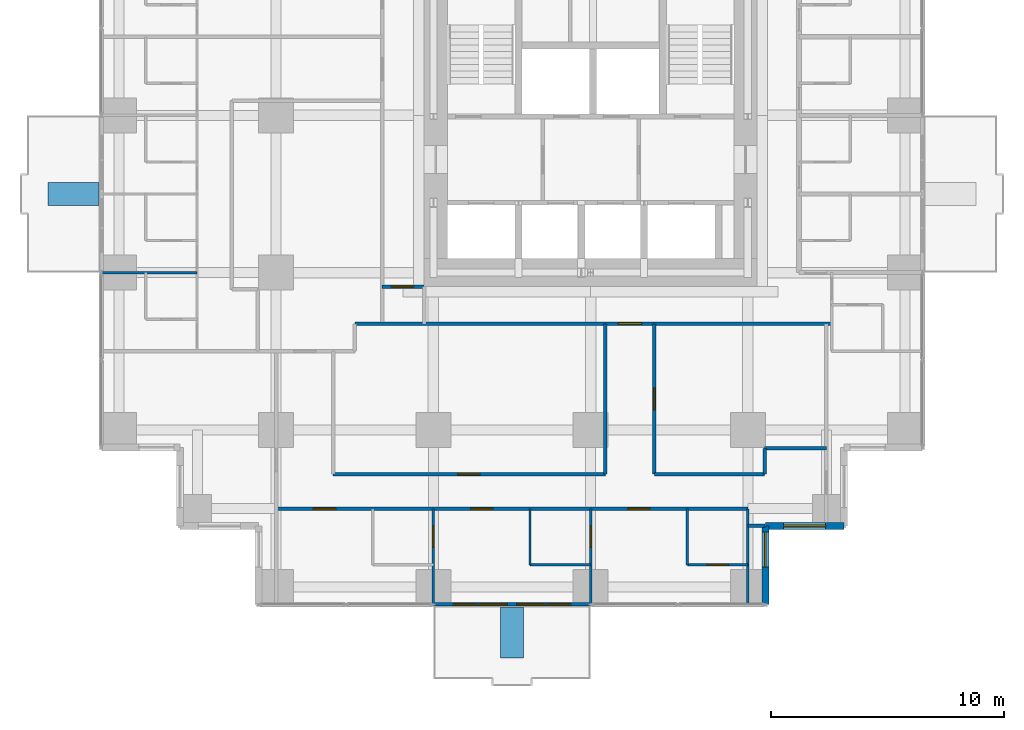
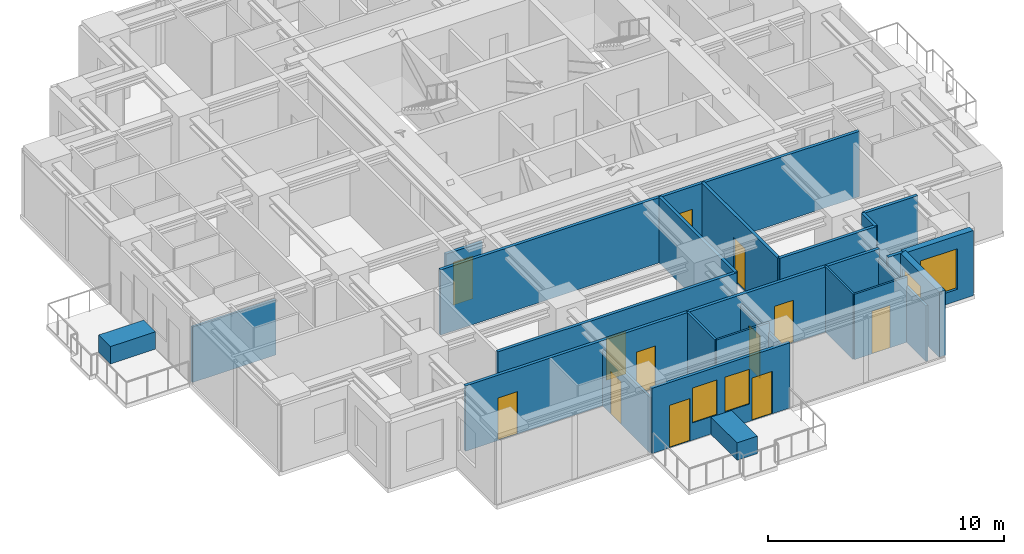
# One storey, part 5 of 10: 23 walls, 12 doors, 4 windows, 16 openings.
"""IFC4 building model written with IfcOpenShell, lengths in metres."""

from ifc_helpers import new_model, si_unit, direction, frame, frame_2d, origin, place, context, subcontext, project, spatial, rectangle, extrude, material, layer, layer_set, type_object, element, fill, save


model = new_model("IFC4")

# Units and contexts
model_context = context("Model", 3, precision=1e-05, world=origin(), true_north=direction((0.0, 1.0)))
body_context = subcontext(model_context, "Body", "Model", "MODEL_VIEW")
ifc_project = project(units=[si_unit("LENGTHUNIT", "METRE"), si_unit("AREAUNIT", "SQUARE_METRE"), si_unit("VOLUMEUNIT", "CUBIC_METRE"), si_unit("PLANEANGLEUNIT", "RADIAN"), si_unit("MASSUNIT", "GRAM", prefix="KILO")], contexts=[model_context])

# Site, building, storey
site_placement = place(None, origin())
site = spatial("IfcSite", under=ifc_project, at=site_placement, CompositionType="ELEMENT")
building_placement = place(site_placement, origin())
building = spatial("IfcBuilding", under=site, at=building_placement, Name="Nyansa Garden Tower", CompositionType="ELEMENT")
storey_placement = place(building_placement, frame((0.0, 0.0, 156.60009765625)))
storey = spatial("IfcBuildingStorey", under=building, at=storey_placement, Name="L42", CompositionType="ELEMENT", Elevation=156.60009765625)

# Wall, openings, doors, windows
ifc_material_1 = material(Name="Black aluminium framed glazed screen", Category="aluminium")
ifc_layer_1 = layer(ifc_material_1, 0.14990234375)
ifc_layer_set_1 = layer_set([ifc_layer_1], Name="Balcony screen wall BW150")
wall_type_1 = type_object("IfcWallType", Name="Balcony screen wall BW150", PredefinedType="SOLIDWALL", material=ifc_layer_set_1)
wall_1_placement = place(storey_placement, frame((20.25, -0.75, 0.0), z_axis=(0.0, 0.0, 1.0), x_axis=(-1.0, 0.0, 0.0)))
wall_1 = element("IfcWall", 1, at=wall_1_placement, inside=storey, type_object=wall_type_1, Name="Glazed screen wall L42 S", PredefinedType="SOLIDWALL", context=body_context, shape_type="SweptSolid", body=[
    extrude(rectangle(XDim=6.75, YDim=0.14990234375, at=frame_2d((3.375, 0.0))), origin(), (0.0, 0.0, 1.0), 3.375),
])
opening_1_placement = place(wall_1_placement, frame((0.862548828125, 0.0, 0.0)))
opening_1 = element("IfcOpeningElement", 2, at=opening_1_placement, cuts=wall_1, Name="Opening D20", PredefinedType="OPENING", context=body_context, shape_type="SweptSolid", body=[
    extrude(rectangle(XDim=1.0, YDim=2.199951171875, at=frame_2d((0.5, 1.10009765625))), frame((0.0, 0.0849609375, 0.0), z_axis=(0.0, -1.0, 0.0), x_axis=(1.0, 0.0, 0.0)), (0.0, 0.0, 1.0), 0.169921875),
])
opening_2_placement = place(wall_1_placement, frame((1.97509765625, 0.0, 0.89990234375)))
opening_2 = element("IfcOpeningElement", 3, at=opening_2_placement, cuts=wall_1, Name="Opening W6", PredefinedType="OPENING", context=body_context, shape_type="SweptSolid", body=[
    extrude(rectangle(XDim=1.199951171875, YDim=1.800048828125, at=frame_2d((0.60009765625, 0.89990234375))), frame((0.0, 0.0849609375, 0.0), z_axis=(0.0, -1.0, 0.0), x_axis=(1.0, 0.0, 0.0)), (0.0, 0.0, 1.0), 0.169921875),
])
opening_3_placement = place(wall_1_placement, frame((4.887451171875, 0.0, 0.0)))
opening_3 = element("IfcOpeningElement", 4, at=opening_3_placement, cuts=wall_1, Name="Opening D20", PredefinedType="OPENING", context=body_context, shape_type="SweptSolid", body=[
    extrude(rectangle(XDim=1.0, YDim=2.199951171875, at=frame_2d((0.5, 1.10009765625))), frame((0.0, 0.0849609375, 0.0), z_axis=(0.0, -1.0, 0.0), x_axis=(1.0, 0.0, 0.0)), (0.0, 0.0, 1.0), 0.169921875),
])
opening_4_placement = place(wall_1_placement, frame((3.574951171875, 0.0, 0.89990234375)))
opening_4 = element("IfcOpeningElement", 5, at=opening_4_placement, cuts=wall_1, Name="Opening W6", PredefinedType="OPENING", context=body_context, shape_type="SweptSolid", body=[
    extrude(rectangle(XDim=1.199951171875, YDim=1.800048828125, at=frame_2d((0.60009765625, 0.89990234375))), frame((0.0, 0.0849609375, 0.0), z_axis=(0.0, -1.0, 0.0), x_axis=(1.0, 0.0, 0.0)), (0.0, 0.0, 1.0), 0.169921875),
])
ifc_material_2 = material(Name="Black aluminium framed glazed door", Category="aluminium")
door_type_1 = type_object("IfcDoorType", Name="Balcony door D20 1000x2200", OperationType="NOTDEFINED", PredefinedType="DOOR", material=ifc_material_2)
door_1_placement = place(opening_1_placement, origin())
door_1 = element("IfcDoor", 6, at=door_1_placement, inside=storey, type_object=door_type_1, Name="Balcony door L42", OperationType="SINGLE_SWING_LEFT", OverallHeight=2.199951171875, OverallWidth=1.0, PredefinedType="DOOR", context=body_context, shape_type="SweptSolid", body=[
    extrude(rectangle(XDim=1.0, YDim=2.199951171875, at=frame_2d((0.5, 1.10009765625))), frame((0.0, 0.02490234375, 0.0), z_axis=(0.0, -1.0, 0.0), x_axis=(1.0, 0.0, 0.0)), (0.0, 0.0, 1.0), 0.050048828125),
])
fill(opening_1, door_1)
door_2_placement = place(opening_3_placement, origin())
door_2 = element("IfcDoor", 7, at=door_2_placement, inside=storey, type_object=door_type_1, Name="Balcony door L42", OperationType="SINGLE_SWING_RIGHT", OverallHeight=2.199951171875, OverallWidth=1.0, PredefinedType="DOOR", context=body_context, shape_type="SweptSolid", body=[
    extrude(rectangle(XDim=1.0, YDim=2.199951171875, at=frame_2d((0.5, 1.10009765625))), frame((0.0, 0.02490234375, 0.0), z_axis=(0.0, -1.0, 0.0), x_axis=(1.0, 0.0, 0.0)), (0.0, 0.0, 1.0), 0.050048828125),
])
fill(opening_3, door_2)
ifc_material_3 = material(Name="Black aluminium frame, dark tinted double glazing", Category="aluminium")
window_type_1 = type_object("IfcWindowType", Name="Balcony window W6 1200x1800", PartitioningType="SINGLE_PANEL", PredefinedType="WINDOW", material=ifc_material_3)
window_1_placement = place(opening_2_placement, origin())
window_1 = element("IfcWindow", 8, at=window_1_placement, inside=storey, type_object=window_type_1, Name="Window L42", OverallHeight=1.800048828125, OverallWidth=1.199951171875, PartitioningType="SINGLE_PANEL", PredefinedType="WINDOW", context=body_context, shape_type="SweptSolid", body=[
    extrude(rectangle(XDim=1.199951171875, YDim=1.800048828125, at=frame_2d((0.60009765625, 0.89990234375))), frame((0.0, 0.030029296875, 0.0), z_axis=(0.0, -1.0, 0.0), x_axis=(1.0, 0.0, 0.0)), (0.0, 0.0, 1.0), 0.06005859375),
])
fill(opening_2, window_1)
window_2_placement = place(opening_4_placement, origin())
window_2 = element("IfcWindow", 9, at=window_2_placement, inside=storey, type_object=window_type_1, Name="Window L42", OverallHeight=1.800048828125, OverallWidth=1.199951171875, PartitioningType="SINGLE_PANEL", PredefinedType="WINDOW", context=body_context, shape_type="SweptSolid", body=[
    extrude(rectangle(XDim=1.199951171875, YDim=1.800048828125, at=frame_2d((0.60009765625, 0.89990234375))), frame((0.0, 0.030029296875, 0.0), z_axis=(0.0, -1.0, 0.0), x_axis=(1.0, 0.0, 0.0)), (0.0, 0.0, 1.0), 0.06005859375),
])
fill(opening_4, window_2)

# Wall, openings, doors
ifc_material_4 = material(Name="Blockwork, plastered both sides", Category="masonry")
ifc_layer_2 = layer(ifc_material_4, 0.14990234375)
ifc_layer_set_2 = layer_set([ifc_layer_2], Name="Partition PW150")
wall_type_2 = type_object("IfcWallType", Name="Partition PW150", PredefinedType="PARTITIONING", material=ifc_layer_set_2)
wall_2_placement = place(storey_placement, frame((6.75, 3.35009765625, 0.0), z_axis=(0.0, 0.0, 1.0), x_axis=(1.0, 0.0, 0.0)))
wall_2 = element("IfcWall", 10, at=wall_2_placement, inside=storey, type_object=wall_type_2, Name="Partition", PredefinedType="PARTITIONING", context=body_context, shape_type="SweptSolid", body=[
    extrude(rectangle(XDim=20.25, YDim=0.14990234375, at=frame_2d((10.125, 0.0))), origin(), (0.0, 0.0, 1.0), 3.375),
])
opening_5_placement = place(wall_2_placement, frame((15.10009765625, 0.0, 0.0)))
opening_5 = element("IfcOpeningElement", 11, at=opening_5_placement, cuts=wall_2, Name="Opening D14", PredefinedType="OPENING", context=body_context, shape_type="SweptSolid", body=[
    extrude(rectangle(XDim=0.949951171875, YDim=2.199951171875, at=frame_2d((0.47509765625, 1.10009765625))), frame((0.0, 0.0849609375, 0.0), z_axis=(0.0, -1.0, 0.0), x_axis=(1.0, 0.0, 0.0)), (0.0, 0.0, 1.0), 0.169921875),
])
opening_6_placement = place(wall_2_placement, frame((8.35009765625, 0.0, 0.0)))
opening_6 = element("IfcOpeningElement", 12, at=opening_6_placement, cuts=wall_2, Name="Opening D14", PredefinedType="OPENING", context=body_context, shape_type="SweptSolid", body=[
    extrude(rectangle(XDim=0.949951171875, YDim=2.199951171875, at=frame_2d((0.47509765625, 1.10009765625))), frame((0.0, 0.0849609375, 0.0), z_axis=(0.0, -1.0, 0.0), x_axis=(1.0, 0.0, 0.0)), (0.0, 0.0, 1.0), 0.169921875),
])
opening_7_placement = place(wall_2_placement, frame((1.60009765625, 0.0, 0.0)))
opening_7 = element("IfcOpeningElement", 13, at=opening_7_placement, cuts=wall_2, Name="Opening D14", PredefinedType="OPENING", context=body_context, shape_type="SweptSolid", body=[
    extrude(rectangle(XDim=0.949951171875, YDim=2.199951171875, at=frame_2d((0.47509765625, 1.10009765625))), frame((0.0, 0.0849609375, 0.0), z_axis=(0.0, -1.0, 0.0), x_axis=(1.0, 0.0, 0.0)), (0.0, 0.0, 1.0), 0.169921875),
])
ifc_material_5 = material(Name="Timber flush door, 60 minute fire resisting, self-closing", Category="wood")
door_type_2 = type_object("IfcDoorType", Name="Studio entrance door D14 950x2200", OperationType="SINGLE_SWING_LEFT", PredefinedType="DOOR", material=ifc_material_5)
door_3_placement = place(opening_5_placement, origin())
door_3 = element("IfcDoor", 14, at=door_3_placement, inside=storey, type_object=door_type_2, Name="Door L42-018", OperationType="SINGLE_SWING_LEFT", OverallHeight=2.199951171875, OverallWidth=0.949951171875, PredefinedType="DOOR", context=body_context, shape_type="SweptSolid", body=[
    extrude(rectangle(XDim=0.949951171875, YDim=2.199951171875, at=frame_2d((0.47509765625, 1.10009765625))), frame((0.0, 0.02490234375, 0.0), z_axis=(0.0, -1.0, 0.0), x_axis=(1.0, 0.0, 0.0)), (0.0, 0.0, 1.0), 0.050048828125),
])
fill(opening_5, door_3)
door_4_placement = place(opening_6_placement, origin())
door_4 = element("IfcDoor", 15, at=door_4_placement, inside=storey, type_object=door_type_2, Name="Door L42-020", OperationType="SINGLE_SWING_LEFT", OverallHeight=2.199951171875, OverallWidth=0.949951171875, PredefinedType="DOOR", context=body_context, shape_type="SweptSolid", body=[
    extrude(rectangle(XDim=0.949951171875, YDim=2.199951171875, at=frame_2d((0.47509765625, 1.10009765625))), frame((0.0, 0.02490234375, 0.0), z_axis=(0.0, -1.0, 0.0), x_axis=(1.0, 0.0, 0.0)), (0.0, 0.0, 1.0), 0.050048828125),
])
fill(opening_6, door_4)
door_5_placement = place(opening_7_placement, origin())
door_5 = element("IfcDoor", 16, at=door_5_placement, inside=storey, type_object=door_type_2, Name="Door L42-022", OperationType="SINGLE_SWING_LEFT", OverallHeight=2.199951171875, OverallWidth=0.949951171875, PredefinedType="DOOR", context=body_context, shape_type="SweptSolid", body=[
    extrude(rectangle(XDim=0.949951171875, YDim=2.199951171875, at=frame_2d((0.47509765625, 1.10009765625))), frame((0.0, 0.02490234375, 0.0), z_axis=(0.0, -1.0, 0.0), x_axis=(1.0, 0.0, 0.0)), (0.0, 0.0, 1.0), 0.050048828125),
])
fill(opening_7, door_5)

# Wall, opening, door
wall_3_placement = place(storey_placement, frame((9.199951171875, 4.85009765625, 0.0), z_axis=(0.0, 0.0, 1.0), x_axis=(1.0, 0.0, 0.0)))
wall_3 = element("IfcWall", 17, at=wall_3_placement, inside=storey, type_object=wall_type_2, Name="Partition", PredefinedType="PARTITIONING", context=body_context, shape_type="SweptSolid", body=[
    extrude(rectangle(XDim=11.6875, YDim=0.14990234375, at=frame_2d((5.84375, 0.0))), origin(), (0.0, 0.0, 1.0), 3.375),
])
opening_8_placement = place(wall_3_placement, frame((5.35009765625, 0.0, 0.0)))
opening_8 = element("IfcOpeningElement", 18, at=opening_8_placement, cuts=wall_3, Name="Opening D01", PredefinedType="OPENING", context=body_context, shape_type="SweptSolid", body=[
    extrude(rectangle(XDim=0.949951171875, YDim=2.199951171875, at=frame_2d((0.47509765625, 1.10009765625))), frame((0.0, 0.0849609375, 0.0), z_axis=(0.0, -1.0, 0.0), x_axis=(1.0, 0.0, 0.0)), (0.0, 0.0, 1.0), 0.169921875),
])
ifc_material_6 = material(Name="Timber flush door, 30 minute fire resisting", Category="wood")
door_type_3 = type_object("IfcDoorType", Name="Bedroom door D01 950x2200", OperationType="SINGLE_SWING_LEFT", PredefinedType="DOOR", material=ifc_material_6)
door_6_placement = place(opening_8_placement, origin())
door_6 = element("IfcDoor", 19, at=door_6_placement, inside=storey, type_object=door_type_3, Name="Door L42-025", OperationType="SINGLE_SWING_LEFT", OverallHeight=2.199951171875, OverallWidth=0.949951171875, PredefinedType="DOOR", context=body_context, shape_type="SweptSolid", body=[
    extrude(rectangle(XDim=0.949951171875, YDim=2.199951171875, at=frame_2d((0.47509765625, 1.10009765625))), frame((0.0, 0.02490234375, 0.0), z_axis=(0.0, -1.0, 0.0), x_axis=(1.0, 0.0, 0.0)), (0.0, 0.0, 1.0), 0.050048828125),
])
fill(opening_8, door_6)

wall_4_placement = place(storey_placement, frame((10.125, 11.300048828125, 0.0), z_axis=(0.0, 0.0, 1.0), x_axis=(1.0, 0.0, 0.0)))
wall_4 = element("IfcWall", 20, at=wall_4_placement, inside=storey, type_object=wall_type_2, Name="Partition", PredefinedType="PARTITIONING", context=body_context, shape_type="SweptSolid", body=[
    extrude(rectangle(XDim=20.47509765625, YDim=0.14990234375, at=frame_2d((10.237548828125, 0.0))), origin(), (0.0, 0.0, 1.0), 3.375),
])
opening_9_placement = place(wall_4_placement, frame((11.3125, 0.0, 0.0)))
opening_9 = element("IfcOpeningElement", 21, at=opening_9_placement, cuts=wall_4, Name="Opening D03", PredefinedType="OPENING", context=body_context, shape_type="SweptSolid", body=[
    extrude(rectangle(XDim=1.0, YDim=2.199951171875, at=frame_2d((0.5, 1.10009765625))), frame((0.0, 0.0849609375, 0.0), z_axis=(0.0, -1.0, 0.0), x_axis=(1.0, 0.0, 0.0)), (0.0, 0.0, 1.0), 0.169921875),
])
ifc_material_7 = material(Name="Timber flush door, 60 minute fire resisting", Category="wood")
door_type_4 = type_object("IfcDoorType", Name="Cluster entrance door D03 1000x2200", OperationType="SINGLE_SWING_LEFT", PredefinedType="DOOR", material=ifc_material_7)
door_7_placement = place(opening_9_placement, origin())
door_7 = element("IfcDoor", 22, at=door_7_placement, inside=storey, type_object=door_type_4, Name="Door L42-024", OperationType="SINGLE_SWING_LEFT", OverallHeight=2.199951171875, OverallWidth=1.0, PredefinedType="DOOR", context=body_context, shape_type="SweptSolid", body=[
    extrude(rectangle(XDim=1.0, YDim=2.199951171875, at=frame_2d((0.5, 1.10009765625))), frame((0.0, 0.02490234375, 0.0), z_axis=(0.0, -1.0, 0.0), x_axis=(1.0, 0.0, 0.0)), (0.0, 0.0, 1.0), 0.050048828125),
])
fill(opening_9, door_7)

wall_5_placement = place(storey_placement, frame((11.300048828125, 12.89990234375, 0.0), z_axis=(0.0, 0.0, 1.0), x_axis=(1.0, 0.0, 0.0)))
wall_5 = element("IfcWall", 23, at=wall_5_placement, inside=storey, type_object=wall_type_2, Name="Partition", PredefinedType="PARTITIONING", context=body_context, shape_type="SweptSolid", body=[
    extrude(rectangle(XDim=1.800048828125, YDim=0.14990234375, at=frame_2d((0.89990234375, 0.0))), origin(), (0.0, 0.0, 1.0), 2.805908203125),
])
opening_10_placement = place(wall_5_placement, frame((0.39990234375, 0.0, 0.0)))
opening_10 = element("IfcOpeningElement", 24, at=opening_10_placement, cuts=wall_5, Name="Opening D01", PredefinedType="OPENING", context=body_context, shape_type="SweptSolid", body=[
    extrude(rectangle(XDim=0.949951171875, YDim=2.199951171875, at=frame_2d((0.47509765625, 1.10009765625))), frame((0.0, 0.0849609375, 0.0), z_axis=(0.0, -1.0, 0.0), x_axis=(1.0, 0.0, 0.0)), (0.0, 0.0, 1.0), 0.169921875),
])
door_8_placement = place(opening_10_placement, origin())
door_8 = element("IfcDoor", 25, at=door_8_placement, inside=storey, type_object=door_type_3, Name="Door L42-016", OperationType="SINGLE_SWING_LEFT", OverallHeight=2.199951171875, OverallWidth=0.949951171875, PredefinedType="DOOR", context=body_context, shape_type="SweptSolid", body=[
    extrude(rectangle(XDim=0.949951171875, YDim=2.199951171875, at=frame_2d((0.47509765625, 1.10009765625))), frame((0.0, 0.02490234375, 0.0), z_axis=(0.0, -1.0, 0.0), x_axis=(1.0, 0.0, 0.0)), (0.0, 0.0, 1.0), 0.050048828125),
])
fill(opening_10, door_8)

# Walls
wall_6_placement = place(storey_placement, frame((20.886962890625, 4.85009765625, 0.0), z_axis=(0.0, 0.0, 1.0), x_axis=(0.0, 1.0, 0.0)))
element("IfcWall", 26, at=wall_6_placement, inside=storey, type_object=wall_type_2, Name="Partition", PredefinedType="PARTITIONING", context=body_context, shape_type="SweptSolid", body=[
    extrude(rectangle(XDim=6.449951171875, YDim=0.14990234375, at=frame_2d((3.22509765625, 0.0))), origin(), (0.0, 0.0, 1.0), 3.375),
])
wall_7_placement = place(storey_placement, frame((22.987548828125, 4.85009765625, 0.0), z_axis=(0.0, 0.0, 1.0), x_axis=(1.0, 0.0, 0.0)))
element("IfcWall", 27, at=wall_7_placement, inside=storey, type_object=wall_type_2, Name="Partition", PredefinedType="PARTITIONING", context=body_context, shape_type="SweptSolid", body=[
    extrude(rectangle(XDim=4.737548828125, YDim=0.14990234375, at=frame_2d((2.36865234375, 0.0))), origin(), (0.0, 0.0, 1.0), 3.375),
])

# Wall, opening, door
wall_8_placement = place(storey_placement, frame((22.988037109375, 4.85009765625, 0.0), z_axis=(0.0, 0.0, 1.0), x_axis=(0.0, 1.0, 0.0)))
wall_8 = element("IfcWall", 28, at=wall_8_placement, inside=storey, type_object=wall_type_2, Name="Partition", PredefinedType="PARTITIONING", context=body_context, shape_type="SweptSolid", body=[
    extrude(rectangle(XDim=6.449951171875, YDim=0.14990234375, at=frame_2d((3.22509765625, 0.0))), origin(), (0.0, 0.0, 1.0), 3.375),
])
opening_11_placement = place(wall_8_placement, frame((2.75, 0.0, 0.0)))
opening_11 = element("IfcOpeningElement", 29, at=opening_11_placement, cuts=wall_8, Name="Opening D01", PredefinedType="OPENING", context=body_context, shape_type="SweptSolid", body=[
    extrude(rectangle(XDim=0.949951171875, YDim=2.199951171875, at=frame_2d((0.47509765625, 1.10009765625))), frame((0.0, 0.0849609375, 0.0), z_axis=(0.0, -1.0, 0.0), x_axis=(1.0, 0.0, 0.0)), (0.0, 0.0, 1.0), 0.169921875),
])
door_9_placement = place(opening_11_placement, origin())
door_9 = element("IfcDoor", 30, at=door_9_placement, inside=storey, type_object=door_type_3, Name="Door L42-026", OperationType="SINGLE_SWING_LEFT", OverallHeight=2.199951171875, OverallWidth=0.949951171875, PredefinedType="DOOR", context=body_context, shape_type="SweptSolid", body=[
    extrude(rectangle(XDim=0.949951171875, YDim=2.199951171875, at=frame_2d((0.47509765625, 1.10009765625))), frame((0.0, 0.02490234375, 0.0), z_axis=(0.0, -1.0, 0.0), x_axis=(1.0, 0.0, 0.0)), (0.0, 0.0, 1.0), 0.050048828125),
])
fill(opening_11, door_9)

# Walls
wall_9_placement = place(storey_placement, frame((27.0, 2.625, 0.0), z_axis=(0.0, 0.0, 1.0), x_axis=(1.0, 0.0, 0.0)))
element("IfcWall", 31, at=wall_9_placement, inside=storey, type_object=wall_type_2, Name="Partition", PredefinedType="PARTITIONING", context=body_context, shape_type="SweptSolid", body=[
    extrude(rectangle(XDim=0.73388671875, YDim=0.14990234375, at=frame_2d((0.366943359375, 0.0))), origin(), (0.0, 0.0, 1.0), 3.375),
])
wall_10_placement = place(storey_placement, frame((27.72509765625, 4.85009765625, 0.0), z_axis=(0.0, 0.0, 1.0), x_axis=(0.0, 1.0, 0.0)))
element("IfcWall", 32, at=wall_10_placement, inside=storey, type_object=wall_type_2, Name="Partition", PredefinedType="PARTITIONING", context=body_context, shape_type="SweptSolid", body=[
    extrude(rectangle(XDim=1.099853515625, YDim=0.14990234375, at=frame_2d((0.5498046875, 0.0))), origin(), (0.0, 0.0, 1.0), 3.375),
])
wall_11_placement = place(storey_placement, frame((27.72509765625, 5.949951171875, 0.0), z_axis=(0.0, 0.0, 1.0), x_axis=(1.0, 0.0, 0.0)))
element("IfcWall", 33, at=wall_11_placement, inside=storey, type_object=wall_type_2, Name="Partition", PredefinedType="PARTITIONING", context=body_context, shape_type="SweptSolid", body=[
    extrude(rectangle(XDim=2.64990234375, YDim=0.14990234375, at=frame_2d((1.324951171875, 0.0))), origin(), (0.0, 0.0, 1.0), 3.375),
])

# Wall, opening, window
ifc_material_8 = material(Name="Turquoise glazed tile on concrete blockwork", Category="masonry")
ifc_layer_3 = layer(ifc_material_8, 0.300048828125)
ifc_layer_set_3 = layer_set([ifc_layer_3], Name="Tiled corner wall TW300")
wall_type_3 = type_object("IfcWallType", Name="Tiled corner wall TW300", PredefinedType="SOLIDWALL", material=ifc_layer_set_3)
wall_12_placement = place(storey_placement, frame((27.75, -0.75, 0.0), z_axis=(0.0, 0.0, 1.0), x_axis=(0.0, 1.0, 0.0)))
wall_12 = element("IfcWall", 34, at=wall_12_placement, inside=storey, type_object=wall_type_3, Name="Tiled corner wall L42", PredefinedType="SOLIDWALL", context=body_context, shape_type="SweptSolid", body=[
    extrude(rectangle(XDim=3.375, YDim=0.300048828125, at=frame_2d((1.6875, 0.0))), origin(), (0.0, 0.0, 1.0), 3.375),
])
opening_12_placement = place(wall_12_placement, frame((1.607421875, 0.0, 0.89990234375)))
opening_12 = element("IfcOpeningElement", 35, at=opening_12_placement, cuts=wall_12, Name="Opening W1", PredefinedType="OPENING", context=body_context, shape_type="SweptSolid", body=[
    extrude(rectangle(XDim=1.5, YDim=1.800048828125, at=frame_2d((0.75, 0.89990234375))), frame((0.0, 0.159912109375, 0.0), z_axis=(0.0, -1.0, 0.0), x_axis=(1.0, 0.0, 0.0)), (0.0, 0.0, 1.0), 0.320068359375),
])
ifc_material_9 = material(Name="Black aluminium frame, dark tinted double glazing", Category="aluminium")
window_type_2 = type_object("IfcWindowType", Name="Window W1 1500x1800", PartitioningType="SINGLE_PANEL", PredefinedType="WINDOW", material=ifc_material_9)
window_3_placement = place(opening_12_placement, origin())
window_3 = element("IfcWindow", 36, at=window_3_placement, inside=storey, type_object=window_type_2, Name="Corner window L42", OverallHeight=1.800048828125, OverallWidth=1.5, PartitioningType="SINGLE_PANEL", PredefinedType="WINDOW", context=body_context, shape_type="SweptSolid", body=[
    extrude(rectangle(XDim=1.5, YDim=1.800048828125, at=frame_2d((0.75, 0.89990234375))), frame((0.0, 0.030029296875, 0.0), z_axis=(0.0, -1.0, 0.0), x_axis=(1.0, 0.0, 0.0)), (0.0, 0.0, 1.0), 0.06005859375),
])
fill(opening_12, window_3)

wall_13_placement = place(storey_placement, frame((27.75, 2.625, 0.0), z_axis=(0.0, 0.0, 1.0), x_axis=(1.0, 0.0, 0.0)))
wall_13 = element("IfcWall", 37, at=wall_13_placement, inside=storey, type_object=wall_type_3, Name="Tiled corner wall L42", PredefinedType="SOLIDWALL", context=body_context, shape_type="SweptSolid", body=[
    extrude(rectangle(XDim=3.375, YDim=0.300048828125, at=frame_2d((1.6875, 0.0))), origin(), (0.0, 0.0, 1.0), 3.375),
])
opening_13_placement = place(wall_13_placement, frame((0.78759765625, 0.0, 0.60009765625)))
opening_13 = element("IfcOpeningElement", 38, at=opening_13_placement, cuts=wall_13, Name="Opening W2", PredefinedType="OPENING", context=body_context, shape_type="SweptSolid", body=[
    extrude(rectangle(XDim=1.800048828125, YDim=2.10009765625, at=frame_2d((0.89990234375, 1.050048828125))), frame((0.0, 0.159912109375, 0.0), z_axis=(0.0, -1.0, 0.0), x_axis=(1.0, 0.0, 0.0)), (0.0, 0.0, 1.0), 0.320068359375),
])
ifc_material_10 = material(Name="Black aluminium frame, dark tinted double glazing", Category="aluminium")
window_type_3 = type_object("IfcWindowType", Name="Window W2 1800x2100", PartitioningType="SINGLE_PANEL", PredefinedType="WINDOW", material=ifc_material_10)
window_4_placement = place(opening_13_placement, origin())
window_4 = element("IfcWindow", 39, at=window_4_placement, inside=storey, type_object=window_type_3, Name="Corner window L42", OverallHeight=2.10009765625, OverallWidth=1.800048828125, PartitioningType="SINGLE_PANEL", PredefinedType="WINDOW", context=body_context, shape_type="SweptSolid", body=[
    extrude(rectangle(XDim=1.800048828125, YDim=2.10009765625, at=frame_2d((0.89990234375, 1.050048828125))), frame((0.0, 0.030029296875, 0.0), z_axis=(0.0, -1.0, 0.0), x_axis=(1.0, 0.0, 0.0)), (0.0, 0.0, 1.0), 0.06005859375),
])
fill(opening_13, window_4)

# Walls
ifc_material_11 = material(Name="Concrete C40/50 planter, waterproofed", Category="concrete")
ifc_layer_4 = layer(ifc_material_11, 1.0)
ifc_layer_set_4 = layer_set([ifc_layer_4], Name="Tree planter TP1")
wall_type_4 = type_object("IfcWallType", Name="Tree planter TP1", PredefinedType="USERDEFINED", material=ifc_layer_set_4)
for number, where, z_axis, x_axis, name in (
    (40, (16.875, -0.85009765625, 0.0), (0.0, 0.0, 1.0), (0.0, -1.0, 0.0), "Tree planter L42"),
    (41, (-0.85009765625, 16.875, 0.0), (0.0, 0.0, 1.0), (-1.0, 0.0, 0.0), "Tree planter L42"),
):
    element("IfcWall", number, at=place(storey_placement, frame(where, z_axis=z_axis, x_axis=x_axis)), inside=storey, type_object=wall_type_4, Name=name, ObjectType="TREE PLANTER", PredefinedType="USERDEFINED", context=body_context, shape_type="SweptSolid", body=[
        extrude(rectangle(XDim=2.199951171875, YDim=1.0, at=frame_2d((1.10009765625, 0.0))), origin(), (0.0, 0.0, 1.0), 0.89990234375),
    ])
ifc_material_12 = material(Name="Moisture resistant board on steel studs, tiled", Category="steel")
ifc_layer_5 = layer(ifc_material_12, 0.10009765625)
ifc_layer_set_5 = layer_set([ifc_layer_5], Name="Wet wall PW100")
wall_type_5 = type_object("IfcWallType", Name="Wet wall PW100", PredefinedType="PARTITIONING", material=ifc_layer_set_5)
wall_14_placement = place(storey_placement, frame((-0.73388671875, 13.5, 0.0), z_axis=(0.0, 0.0, 1.0), x_axis=(1.0, 0.0, 0.0)))
element("IfcWall", 42, at=wall_14_placement, inside=storey, type_object=wall_type_5, Name="Wet wall", PredefinedType="PARTITIONING", context=body_context, shape_type="SweptSolid", body=[
    extrude(rectangle(XDim=4.083984375, YDim=0.10009765625, at=frame_2d((2.0419921875, 0.0))), origin(), (0.0, 0.0, 1.0), 2.876953125),
])

# Wall, opening, door
wall_15_placement = place(storey_placement, frame((13.5, -0.73388671875, 0.0), z_axis=(0.0, 0.0, 1.0), x_axis=(0.0, 1.0, 0.0)))
wall_15 = element("IfcWall", 43, at=wall_15_placement, inside=storey, type_object=wall_type_5, Name="Wet wall", PredefinedType="PARTITIONING", context=body_context, shape_type="SweptSolid", body=[
    extrude(rectangle(XDim=4.083984375, YDim=0.10009765625, at=frame_2d((2.0419921875, 0.0))), origin(), (0.0, 0.0, 1.0), 2.876953125),
])
opening_14_placement = place(wall_15_placement, frame((2.43408203125, 0.0, 0.0)))
opening_14 = element("IfcOpeningElement", 44, at=opening_14_placement, cuts=wall_15, Name="Opening D02", PredefinedType="OPENING", context=body_context, shape_type="SweptSolid", body=[
    extrude(rectangle(XDim=0.89990234375, YDim=2.199951171875, at=frame_2d((0.449951171875, 1.10009765625))), frame((0.0, 0.06005859375, 0.0), z_axis=(0.0, -1.0, 0.0), x_axis=(1.0, 0.0, 0.0)), (0.0, 0.0, 1.0), 0.1201171875),
])
ifc_material_13 = material(Name="Timber flush door", Category="wood")
door_type_5 = type_object("IfcDoorType", Name="En-suite door D02 900x2200", OperationType="SINGLE_SWING_RIGHT", PredefinedType="DOOR", material=ifc_material_13)
door_10_placement = place(opening_14_placement, origin())
door_10 = element("IfcDoor", 45, at=door_10_placement, inside=storey, type_object=door_type_5, Name="Door L42-023", OperationType="SINGLE_SWING_RIGHT", OverallHeight=2.199951171875, OverallWidth=0.89990234375, PredefinedType="DOOR", context=body_context, shape_type="SweptSolid", body=[
    extrude(rectangle(XDim=0.89990234375, YDim=2.199951171875, at=frame_2d((0.449951171875, 1.10009765625))), frame((0.0, 0.02490234375, 0.0), z_axis=(0.0, -1.0, 0.0), x_axis=(1.0, 0.0, 0.0)), (0.0, 0.0, 1.0), 0.050048828125),
])
fill(opening_14, door_10)

# Walls
wall_16_placement = place(storey_placement, frame((17.64990234375, 0.949951171875, 0.0), z_axis=(0.0, 0.0, 1.0), x_axis=(0.0, 1.0, 0.0)))
element("IfcWall", 46, at=wall_16_placement, inside=storey, type_object=wall_type_5, Name="Wet wall", PredefinedType="PARTITIONING", context=body_context, shape_type="SweptSolid", body=[
    extrude(rectangle(XDim=2.400146484375, YDim=0.10009765625, at=frame_2d((1.2001953125, 0.0))), origin(), (0.0, 0.0, 1.0), 3.375),
])
wall_17_placement = place(storey_placement, frame((17.64990234375, 0.949951171875, 0.0), z_axis=(0.0, 0.0, 1.0), x_axis=(1.0, 0.0, 0.0)))
element("IfcWall", 47, at=wall_17_placement, inside=storey, type_object=wall_type_5, Name="Wet wall", PredefinedType="PARTITIONING", context=body_context, shape_type="SweptSolid", body=[
    extrude(rectangle(XDim=2.60009765625, YDim=0.10009765625, at=frame_2d((1.300048828125, 0.0))), origin(), (0.0, 0.0, 1.0), 3.375),
])

# Wall, opening, door
wall_18_placement = place(storey_placement, frame((20.25, -0.73388671875, 0.0), z_axis=(0.0, 0.0, 1.0), x_axis=(0.0, 1.0, 0.0)))
wall_18 = element("IfcWall", 48, at=wall_18_placement, inside=storey, type_object=wall_type_5, Name="Wet wall", PredefinedType="PARTITIONING", context=body_context, shape_type="SweptSolid", body=[
    extrude(rectangle(XDim=4.083984375, YDim=0.10009765625, at=frame_2d((2.0419921875, 0.0))), origin(), (0.0, 0.0, 1.0), 2.876953125),
])
opening_15_placement = place(wall_18_placement, frame((2.43408203125, 0.0, 0.0)))
opening_15 = element("IfcOpeningElement", 49, at=opening_15_placement, cuts=wall_18, Name="Opening D02", PredefinedType="OPENING", context=body_context, shape_type="SweptSolid", body=[
    extrude(rectangle(XDim=0.89990234375, YDim=2.199951171875, at=frame_2d((0.449951171875, 1.10009765625))), frame((0.0, 0.06005859375, 0.0), z_axis=(0.0, -1.0, 0.0), x_axis=(1.0, 0.0, 0.0)), (0.0, 0.0, 1.0), 0.1201171875),
])
door_11_placement = place(opening_15_placement, origin())
door_11 = element("IfcDoor", 50, at=door_11_placement, inside=storey, type_object=door_type_5, Name="Door L42-021", OperationType="SINGLE_SWING_RIGHT", OverallHeight=2.199951171875, OverallWidth=0.89990234375, PredefinedType="DOOR", context=body_context, shape_type="SweptSolid", body=[
    extrude(rectangle(XDim=0.89990234375, YDim=2.199951171875, at=frame_2d((0.449951171875, 1.10009765625))), frame((0.0, 0.02490234375, 0.0), z_axis=(0.0, -1.0, 0.0), x_axis=(1.0, 0.0, 0.0)), (0.0, 0.0, 1.0), 0.050048828125),
])
fill(opening_15, door_11)

# Wall
wall_19_placement = place(storey_placement, frame((24.39990234375, 0.949951171875, 0.0), z_axis=(0.0, 0.0, 1.0), x_axis=(0.0, 1.0, 0.0)))
element("IfcWall", 51, at=wall_19_placement, inside=storey, type_object=wall_type_5, Name="Wet wall", PredefinedType="PARTITIONING", context=body_context, shape_type="SweptSolid", body=[
    extrude(rectangle(XDim=2.400146484375, YDim=0.10009765625, at=frame_2d((1.2001953125, 0.0))), origin(), (0.0, 0.0, 1.0), 3.375),
])

# Wall, opening, door
wall_20_placement = place(storey_placement, frame((24.39990234375, 0.949951171875, 0.0), z_axis=(0.0, 0.0, 1.0), x_axis=(1.0, 0.0, 0.0)))
wall_20 = element("IfcWall", 52, at=wall_20_placement, inside=storey, type_object=wall_type_5, Name="Wet wall", PredefinedType="PARTITIONING", context=body_context, shape_type="SweptSolid", body=[
    extrude(rectangle(XDim=2.60009765625, YDim=0.10009765625, at=frame_2d((1.300048828125, 0.0))), origin(), (0.0, 0.0, 1.0), 3.375),
])
opening_16_placement = place(wall_20_placement, frame((0.85009765625, 0.0, 0.0)))
opening_16 = element("IfcOpeningElement", 53, at=opening_16_placement, cuts=wall_20, Name="Opening D02", PredefinedType="OPENING", context=body_context, shape_type="SweptSolid", body=[
    extrude(rectangle(XDim=0.89990234375, YDim=2.199951171875, at=frame_2d((0.449951171875, 1.10009765625))), frame((0.0, 0.06005859375, 0.0), z_axis=(0.0, -1.0, 0.0), x_axis=(1.0, 0.0, 0.0)), (0.0, 0.0, 1.0), 0.1201171875),
])
door_12_placement = place(opening_16_placement, origin())
door_12 = element("IfcDoor", 54, at=door_12_placement, inside=storey, type_object=door_type_5, Name="Door L42-019", OperationType="SINGLE_SWING_RIGHT", OverallHeight=2.199951171875, OverallWidth=0.89990234375, PredefinedType="DOOR", context=body_context, shape_type="SweptSolid", body=[
    extrude(rectangle(XDim=0.89990234375, YDim=2.199951171875, at=frame_2d((0.449951171875, 1.10009765625))), frame((0.0, 0.02490234375, 0.0), z_axis=(0.0, -1.0, 0.0), x_axis=(1.0, 0.0, 0.0)), (0.0, 0.0, 1.0), 0.050048828125),
])
fill(opening_16, door_12)

# Wall
wall_21_placement = place(storey_placement, frame((27.0, -0.73388671875, 0.0), z_axis=(0.0, 0.0, 1.0), x_axis=(0.0, 1.0, 0.0)))
element("IfcWall", 55, at=wall_21_placement, inside=storey, type_object=wall_type_5, Name="Wet wall", PredefinedType="PARTITIONING", context=body_context, shape_type="SweptSolid", body=[
    extrude(rectangle(XDim=4.083984375, YDim=0.10009765625, at=frame_2d((2.0419921875, 0.0))), origin(), (0.0, 0.0, 1.0), 2.876953125),
])

save(model, "model.ifc")
